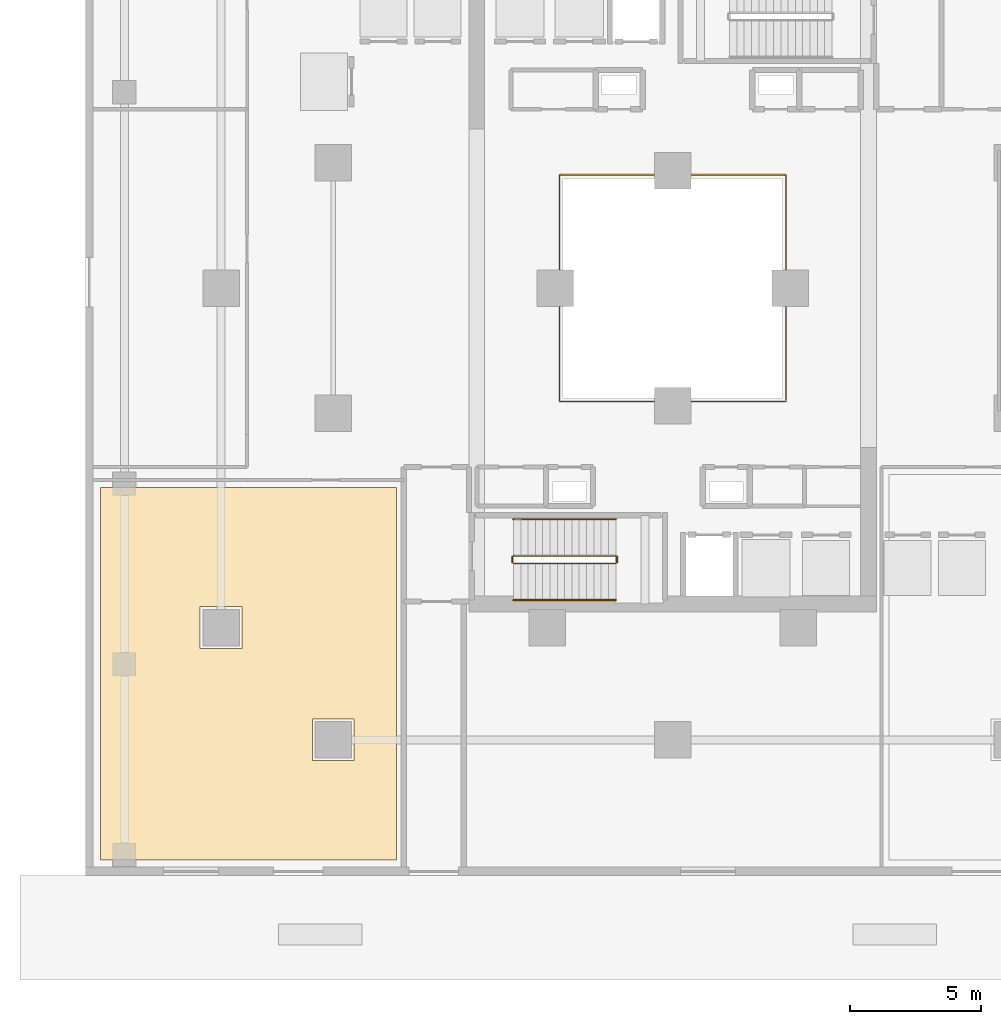
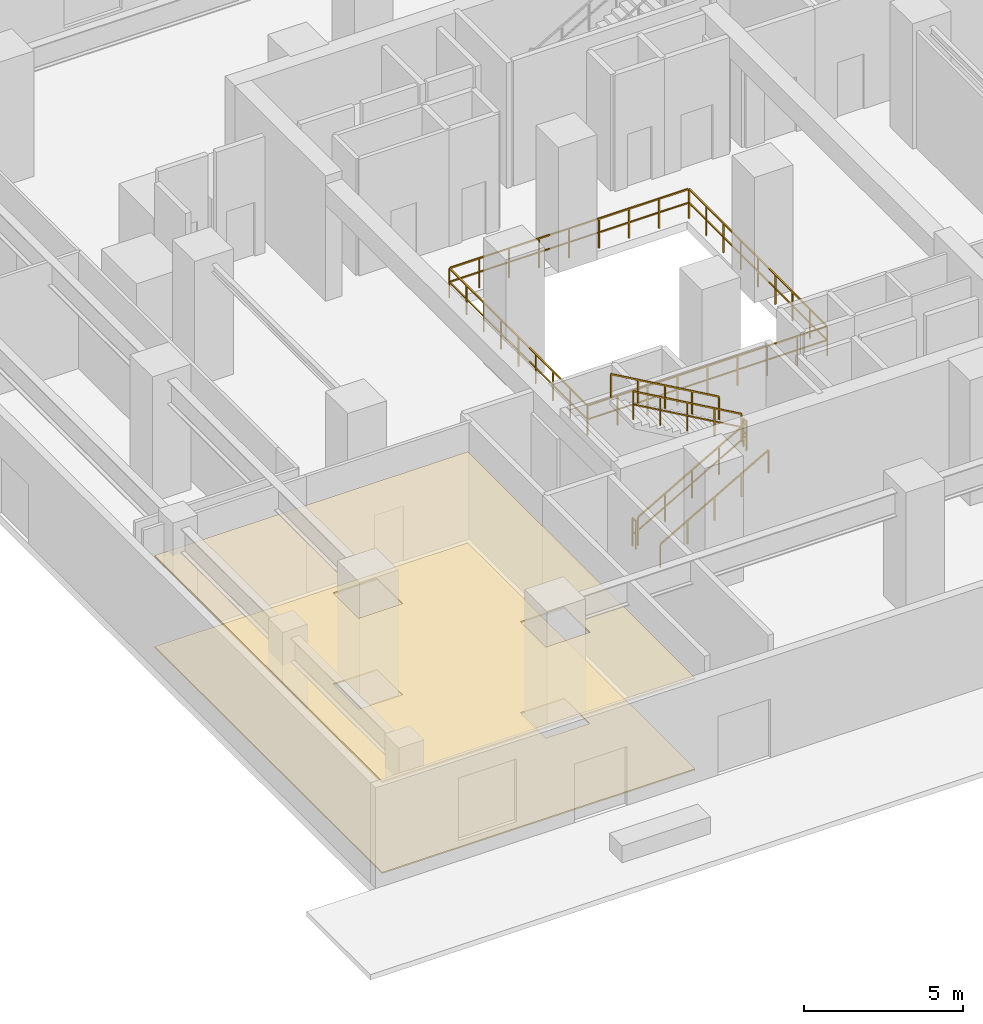
# One storey, part 20 of 24: 7 railings, 2 coverings.
"""IFC4 building model written with IfcOpenShell, lengths in metres."""

from ifc_helpers import new_model, si_unit, direction, frame, origin, origin_2d, place, context, subcontext, project, spatial, polyline, rectangle, outline, extrude, material, layer, layer_set, type_object, element, save


model = new_model("IFC4")

# Units and contexts
model_context = context("Model", 3, precision=1e-05, world=origin(), true_north=direction((0.0, 1.0)))
body_context = subcontext(model_context, "Body", "Model", "MODEL_VIEW")
ifc_project = project(units=[si_unit("LENGTHUNIT", "METRE"), si_unit("AREAUNIT", "SQUARE_METRE"), si_unit("VOLUMEUNIT", "CUBIC_METRE"), si_unit("PLANEANGLEUNIT", "RADIAN"), si_unit("MASSUNIT", "GRAM", prefix="KILO")], contexts=[model_context])

# Site, building, storey
site_placement = place(None, origin())
site = spatial("IfcSite", under=ifc_project, at=site_placement, CompositionType="ELEMENT")
building_placement = place(site_placement, origin())
building = spatial("IfcBuilding", under=site, at=building_placement, Name="Thornwick Lancets Civic Towers", CompositionType="ELEMENT")
storey_placement = place(building_placement, origin())
storey = spatial("IfcBuildingStorey", under=building, at=storey_placement, Name="L00", CompositionType="ELEMENT", Elevation=0.0)

# Coverings
ifc_material_1 = material(Name="Slatted European oak acoustic ceiling")
ifc_layer_1 = layer(ifc_material_1, 0.06005859375, Name="Slatted European oak acoustic ceiling")
ifc_layer_set_1 = layer_set([ifc_layer_1], Name="Slatted European oak acoustic ceiling")
covering_type_1 = type_object("IfcCoveringType", Name="COV_CEIL_TIMBER", PredefinedType="CEILING", material=ifc_layer_set_1)
covering_1_placement = place(storey_placement, frame((0.0, 0.0, 3.478515625)))
element("IfcCovering", 1, at=covering_1_placement, inside=storey, type_object=covering_type_1, Name="Citizen Enquiries and Pass Office Ceiling", PredefinedType="CEILING", context=body_context, shape_type="SweptSolid", body=[
    extrude(outline(polyline([(3.580078125, 5.10009765625), (3.580078125, 19.3701171875), (14.919921875, 19.3701171875), (14.919921875, 5.10009765625), (3.580078125, 5.10009765625)]), holes=[polyline([(11.699951171875, 8.89990234375), (13.300048828125, 8.89990234375), (13.300048828125, 10.5), (11.699951171875, 10.5), (11.699951171875, 8.89990234375)]), polyline([(7.39990234375, 13.199951171875), (9.0, 13.199951171875), (9.0, 14.800048828125), (7.39990234375, 14.800048828125), (7.39990234375, 13.199951171875)])]), origin(), (0.0, 0.0, 1.0), 0.059814453125),
])
ifc_material_2 = material(Name="Calcium-sulfate raised access floor panel")
ifc_layer_2 = layer(ifc_material_2, 0.050048828125, Name="Calcium-sulfate raised access floor panel")
ifc_layer_set_2 = layer_set([ifc_layer_2], Name="Calcium-sulfate raised access floor panel")
covering_type_2 = type_object("IfcCoveringType", Name="COV_FLOOR_RAISED", PredefinedType="FLOORING", material=ifc_layer_set_2)
covering_2_placement = place(storey_placement, origin())
element("IfcCovering", 2, at=covering_2_placement, inside=storey, type_object=covering_type_2, Name="Citizen Enquiries and Pass Office Raised Access Flooring", PredefinedType="FLOORING", context=body_context, shape_type="SweptSolid", body=[
    extrude(outline(polyline([(3.580078125, 5.10009765625), (3.580078125, 19.3701171875), (14.919921875, 19.3701171875), (14.919921875, 5.10009765625), (3.580078125, 5.10009765625)]), holes=[polyline([(11.699951171875, 8.89990234375), (13.300048828125, 8.89990234375), (13.300048828125, 10.5), (11.699951171875, 10.5), (11.699951171875, 8.89990234375)]), polyline([(7.39990234375, 13.199951171875), (9.0, 13.199951171875), (9.0, 14.800048828125), (7.39990234375, 14.800048828125), (7.39990234375, 13.199951171875)])]), origin(), (0.0, 0.0, 1.0), 0.050048828125),
])

# Railings
ifc_material_3 = material(Name="Laminated glass and bronze steel S355", Category="steel")
railing_type_1 = type_object("IfcRailingType", Name="RAIL_ATRIUM_GUARD", PredefinedType="BALUSTRADE", material=ifc_material_3)
railing_1_placement = place(storey_placement, frame((21.159912109375, 22.659912109375, 0.0)))
element("IfcRailing", 3, at=railing_1_placement, inside=storey, type_object=railing_type_1, Name="L00 Tower A Central Atrium Guard Balustrade", PredefinedType="BALUSTRADE", context=body_context, shape_type="SweptSolid", body=[
    extrude(rectangle(XDim=0.048095703125, YDim=0.048095703125, at=origin_2d()), frame((0.0, 0.0, 1.1259765625), z_axis=(1.0, 0.0, 0.0), x_axis=(0.0, 1.0, 0.0)), (0.0, 0.0, 1.0), 8.64892578125),
    extrude(rectangle(XDim=0.0419921875, YDim=0.0419921875, at=origin_2d()), frame((0.03759765625, 0.0, 0.597900390625), z_axis=(1.0, 0.0, 0.0), x_axis=(0.0, 1.0, 0.0)), (0.0, 0.0, 1.0), 1.010009765625),
    extrude(rectangle(XDim=0.0419921875, YDim=0.0419921875, at=origin_2d()), frame((1.12255859375, 0.0, 0.597900390625), z_axis=(1.0, 0.0, 0.0), x_axis=(0.0, 1.0, 0.0)), (0.0, 0.0, 1.0), 1.010009765625),
    extrude(rectangle(XDim=0.0419921875, YDim=0.0419921875, at=origin_2d()), frame((2.20751953125, 0.0, 0.597900390625), z_axis=(1.0, 0.0, 0.0), x_axis=(0.0, 1.0, 0.0)), (0.0, 0.0, 1.0), 1.010009765625),
    extrude(rectangle(XDim=0.0419921875, YDim=0.0419921875, at=origin_2d()), frame((3.29248046875, 0.0, 0.597900390625), z_axis=(1.0, 0.0, 0.0), x_axis=(0.0, 1.0, 0.0)), (0.0, 0.0, 1.0), 1.010009765625),
    extrude(rectangle(XDim=0.0419921875, YDim=0.0419921875, at=origin_2d()), frame((4.377685546875, 0.0, 0.597900390625), z_axis=(1.0, 0.0, 0.0), x_axis=(0.0, 1.0, 0.0)), (0.0, 0.0, 1.0), 1.010009765625),
    extrude(rectangle(XDim=0.0419921875, YDim=0.0419921875, at=origin_2d()), frame((5.462646484375, 0.0, 0.597900390625), z_axis=(1.0, 0.0, 0.0), x_axis=(0.0, 1.0, 0.0)), (0.0, 0.0, 1.0), 1.010009765625),
    extrude(rectangle(XDim=0.0419921875, YDim=0.0419921875, at=origin_2d()), frame((6.547607421875, 0.0, 0.597900390625), z_axis=(1.0, 0.0, 0.0), x_axis=(0.0, 1.0, 0.0)), (0.0, 0.0, 1.0), 1.010009765625),
    extrude(rectangle(XDim=0.0419921875, YDim=0.0419921875, at=origin_2d()), frame((7.632568359375, 0.0, 0.597900390625), z_axis=(1.0, 0.0, 0.0), x_axis=(0.0, 1.0, 0.0)), (0.0, 0.0, 1.0), 1.010009765625),
    extrude(rectangle(XDim=0.048095703125, YDim=0.048095703125, at=origin_2d()), frame((8.68017578125, 0.03125, 1.1259765625), z_axis=(0.0, 1.0, 0.0), x_axis=(-1.0, 0.0, 0.0)), (0.0, 0.0, 1.0), 8.61767578125),
    extrude(rectangle(XDim=0.0419921875, YDim=0.0419921875, at=origin_2d()), frame((8.68017578125, 0.03759765625, 0.597900390625), z_axis=(0.0, 1.0, 0.0), x_axis=(-1.0, 0.0, 0.0)), (0.0, 0.0, 1.0), 1.010009765625),
    extrude(rectangle(XDim=0.0419921875, YDim=0.0419921875, at=origin_2d()), frame((8.68017578125, 1.12255859375, 0.597900390625), z_axis=(0.0, 1.0, 0.0), x_axis=(-1.0, 0.0, 0.0)), (0.0, 0.0, 1.0), 1.010009765625),
    extrude(rectangle(XDim=0.0419921875, YDim=0.0419921875, at=origin_2d()), frame((8.68017578125, 2.20751953125, 0.597900390625), z_axis=(0.0, 1.0, 0.0), x_axis=(-1.0, 0.0, 0.0)), (0.0, 0.0, 1.0), 1.010009765625),
    extrude(rectangle(XDim=0.0419921875, YDim=0.0419921875, at=origin_2d()), frame((8.68017578125, 3.29248046875, 0.597900390625), z_axis=(0.0, 1.0, 0.0), x_axis=(-1.0, 0.0, 0.0)), (0.0, 0.0, 1.0), 1.010009765625),
    extrude(rectangle(XDim=0.0419921875, YDim=0.0419921875, at=origin_2d()), frame((8.68017578125, 4.377685546875, 0.597900390625), z_axis=(0.0, 1.0, 0.0), x_axis=(-1.0, 0.0, 0.0)), (0.0, 0.0, 1.0), 1.010009765625),
    extrude(rectangle(XDim=0.0419921875, YDim=0.0419921875, at=origin_2d()), frame((8.68017578125, 5.462646484375, 0.597900390625), z_axis=(0.0, 1.0, 0.0), x_axis=(-1.0, 0.0, 0.0)), (0.0, 0.0, 1.0), 1.010009765625),
    extrude(rectangle(XDim=0.0419921875, YDim=0.0419921875, at=origin_2d()), frame((8.68017578125, 6.547607421875, 0.597900390625), z_axis=(0.0, 1.0, 0.0), x_axis=(-1.0, 0.0, 0.0)), (0.0, 0.0, 1.0), 1.010009765625),
    extrude(rectangle(XDim=0.0419921875, YDim=0.0419921875, at=origin_2d()), frame((8.68017578125, 7.632568359375, 0.597900390625), z_axis=(0.0, 1.0, 0.0), x_axis=(-1.0, 0.0, 0.0)), (0.0, 0.0, 1.0), 1.010009765625),
    extrude(rectangle(XDim=0.048095703125, YDim=0.048095703125, at=origin_2d()), frame((8.64892578125, 8.68017578125, 1.1259765625), z_axis=(-1.0, 0.0, 0.0), x_axis=(0.0, -1.0, 0.0)), (0.0, 0.0, 1.0), 8.61767578125),
    extrude(rectangle(XDim=0.0419921875, YDim=0.0419921875, at=origin_2d()), frame((8.642578125, 8.68017578125, 0.597900390625), z_axis=(-1.0, 0.0, 0.0), x_axis=(0.0, -1.0, 0.0)), (0.0, 0.0, 1.0), 1.010009765625),
    extrude(rectangle(XDim=0.0419921875, YDim=0.0419921875, at=origin_2d()), frame((7.5576171875, 8.68017578125, 0.597900390625), z_axis=(-1.0, 0.0, 0.0), x_axis=(0.0, -1.0, 0.0)), (0.0, 0.0, 1.0), 1.010009765625),
    extrude(rectangle(XDim=0.0419921875, YDim=0.0419921875, at=origin_2d()), frame((6.47265625, 8.68017578125, 0.597900390625), z_axis=(-1.0, 0.0, 0.0), x_axis=(0.0, -1.0, 0.0)), (0.0, 0.0, 1.0), 1.010009765625),
    extrude(rectangle(XDim=0.0419921875, YDim=0.0419921875, at=origin_2d()), frame((5.3876953125, 8.68017578125, 0.597900390625), z_axis=(-1.0, 0.0, 0.0), x_axis=(0.0, -1.0, 0.0)), (0.0, 0.0, 1.0), 1.010009765625),
    extrude(rectangle(XDim=0.0419921875, YDim=0.0419921875, at=origin_2d()), frame((4.302490234375, 8.68017578125, 0.597900390625), z_axis=(-1.0, 0.0, 0.0), x_axis=(0.0, -1.0, 0.0)), (0.0, 0.0, 1.0), 1.010009765625),
    extrude(rectangle(XDim=0.0419921875, YDim=0.0419921875, at=origin_2d()), frame((3.217529296875, 8.68017578125, 0.597900390625), z_axis=(-1.0, 0.0, 0.0), x_axis=(0.0, -1.0, 0.0)), (0.0, 0.0, 1.0), 1.010009765625),
    extrude(rectangle(XDim=0.0419921875, YDim=0.0419921875, at=origin_2d()), frame((2.132568359375, 8.68017578125, 0.597900390625), z_axis=(-1.0, 0.0, 0.0), x_axis=(0.0, -1.0, 0.0)), (0.0, 0.0, 1.0), 1.010009765625),
    extrude(rectangle(XDim=0.0419921875, YDim=0.0419921875, at=origin_2d()), frame((1.047607421875, 8.68017578125, 0.597900390625), z_axis=(-1.0, 0.0, 0.0), x_axis=(0.0, -1.0, 0.0)), (0.0, 0.0, 1.0), 1.010009765625),
    extrude(rectangle(XDim=0.048095703125, YDim=0.048095703125, at=origin_2d()), frame((0.0, 8.64892578125, 1.1259765625), z_axis=(0.0, -1.0, 0.0), x_axis=(1.0, 0.0, 0.0)), (0.0, 0.0, 1.0), 8.64892578125),
    extrude(rectangle(XDim=0.0419921875, YDim=0.0419921875, at=origin_2d()), frame((0.0, 8.642578125, 0.597900390625), z_axis=(0.0, -1.0, 0.0), x_axis=(1.0, 0.0, 0.0)), (0.0, 0.0, 1.0), 1.010009765625),
    extrude(rectangle(XDim=0.0419921875, YDim=0.0419921875, at=origin_2d()), frame((0.0, 7.5576171875, 0.597900390625), z_axis=(0.0, -1.0, 0.0), x_axis=(1.0, 0.0, 0.0)), (0.0, 0.0, 1.0), 1.010009765625),
    extrude(rectangle(XDim=0.0419921875, YDim=0.0419921875, at=origin_2d()), frame((0.0, 6.47265625, 0.597900390625), z_axis=(0.0, -1.0, 0.0), x_axis=(1.0, 0.0, 0.0)), (0.0, 0.0, 1.0), 1.010009765625),
    extrude(rectangle(XDim=0.0419921875, YDim=0.0419921875, at=origin_2d()), frame((0.0, 5.3876953125, 0.597900390625), z_axis=(0.0, -1.0, 0.0), x_axis=(1.0, 0.0, 0.0)), (0.0, 0.0, 1.0), 1.010009765625),
    extrude(rectangle(XDim=0.0419921875, YDim=0.0419921875, at=origin_2d()), frame((0.0, 4.302490234375, 0.597900390625), z_axis=(0.0, -1.0, 0.0), x_axis=(1.0, 0.0, 0.0)), (0.0, 0.0, 1.0), 1.010009765625),
    extrude(rectangle(XDim=0.0419921875, YDim=0.0419921875, at=origin_2d()), frame((0.0, 3.217529296875, 0.597900390625), z_axis=(0.0, -1.0, 0.0), x_axis=(1.0, 0.0, 0.0)), (0.0, 0.0, 1.0), 1.010009765625),
    extrude(rectangle(XDim=0.0419921875, YDim=0.0419921875, at=origin_2d()), frame((0.0, 2.132568359375, 0.597900390625), z_axis=(0.0, -1.0, 0.0), x_axis=(1.0, 0.0, 0.0)), (0.0, 0.0, 1.0), 1.010009765625),
    extrude(rectangle(XDim=0.0419921875, YDim=0.0419921875, at=origin_2d()), frame((0.0, 1.047607421875, 0.597900390625), z_axis=(0.0, -1.0, 0.0), x_axis=(1.0, 0.0, 0.0)), (0.0, 0.0, 1.0), 1.010009765625),
    extrude(rectangle(XDim=0.0419921875, YDim=0.0419921875, at=origin_2d()), origin(), (0.0, 0.0, 1.0), 1.095703125),
    extrude(rectangle(XDim=0.0419921875, YDim=0.0419921875, at=origin_2d()), frame((1.0849609375, 0.0, 0.0)), (0.0, 0.0, 1.0), 1.095703125),
    extrude(rectangle(XDim=0.0419921875, YDim=0.0419921875, at=origin_2d()), frame((2.169921875, 0.0, 0.0)), (0.0, 0.0, 1.0), 1.095703125),
    extrude(rectangle(XDim=0.0419921875, YDim=0.0419921875, at=origin_2d()), frame((3.255126953125, 0.0, 0.0)), (0.0, 0.0, 1.0), 1.095703125),
    extrude(rectangle(XDim=0.0419921875, YDim=0.0419921875, at=origin_2d()), frame((4.340087890625, 0.0, 0.0)), (0.0, 0.0, 1.0), 1.095703125),
    extrude(rectangle(XDim=0.0419921875, YDim=0.0419921875, at=origin_2d()), frame((5.425048828125, 0.0, 0.0)), (0.0, 0.0, 1.0), 1.095703125),
    extrude(rectangle(XDim=0.0419921875, YDim=0.0419921875, at=origin_2d()), frame((6.51025390625, 0.0, 0.0)), (0.0, 0.0, 1.0), 1.095703125),
    extrude(rectangle(XDim=0.0419921875, YDim=0.0419921875, at=origin_2d()), frame((7.59521484375, 0.0, 0.0)), (0.0, 0.0, 1.0), 1.095703125),
    extrude(rectangle(XDim=0.0419921875, YDim=0.0419921875, at=origin_2d()), frame((8.68017578125, 0.0, 0.0)), (0.0, 0.0, 1.0), 1.095703125),
    extrude(rectangle(XDim=0.0419921875, YDim=0.0419921875, at=origin_2d()), frame((8.68017578125, 1.0849609375, 0.0)), (0.0, 0.0, 1.0), 1.095703125),
    extrude(rectangle(XDim=0.0419921875, YDim=0.0419921875, at=origin_2d()), frame((8.68017578125, 2.169921875, 0.0)), (0.0, 0.0, 1.0), 1.095703125),
    extrude(rectangle(XDim=0.0419921875, YDim=0.0419921875, at=origin_2d()), frame((8.68017578125, 3.255126953125, 0.0)), (0.0, 0.0, 1.0), 1.095703125),
    extrude(rectangle(XDim=0.0419921875, YDim=0.0419921875, at=origin_2d()), frame((8.68017578125, 4.340087890625, 0.0)), (0.0, 0.0, 1.0), 1.095703125),
    extrude(rectangle(XDim=0.0419921875, YDim=0.0419921875, at=origin_2d()), frame((8.68017578125, 5.425048828125, 0.0)), (0.0, 0.0, 1.0), 1.095703125),
    extrude(rectangle(XDim=0.0419921875, YDim=0.0419921875, at=origin_2d()), frame((8.68017578125, 6.51025390625, 0.0)), (0.0, 0.0, 1.0), 1.095703125),
    extrude(rectangle(XDim=0.0419921875, YDim=0.0419921875, at=origin_2d()), frame((8.68017578125, 7.59521484375, 0.0)), (0.0, 0.0, 1.0), 1.095703125),
    extrude(rectangle(XDim=0.0419921875, YDim=0.0419921875, at=origin_2d()), frame((8.68017578125, 8.68017578125, 0.0)), (0.0, 0.0, 1.0), 1.095703125),
    extrude(rectangle(XDim=0.0419921875, YDim=0.0419921875, at=origin_2d()), frame((7.59521484375, 8.68017578125, 0.0)), (0.0, 0.0, 1.0), 1.095703125),
    extrude(rectangle(XDim=0.0419921875, YDim=0.0419921875, at=origin_2d()), frame((6.51025390625, 8.68017578125, 0.0)), (0.0, 0.0, 1.0), 1.095703125),
    extrude(rectangle(XDim=0.0419921875, YDim=0.0419921875, at=origin_2d()), frame((5.425048828125, 8.68017578125, 0.0)), (0.0, 0.0, 1.0), 1.095703125),
    extrude(rectangle(XDim=0.0419921875, YDim=0.0419921875, at=origin_2d()), frame((4.340087890625, 8.68017578125, 0.0)), (0.0, 0.0, 1.0), 1.095703125),
    extrude(rectangle(XDim=0.0419921875, YDim=0.0419921875, at=origin_2d()), frame((3.255126953125, 8.68017578125, 0.0)), (0.0, 0.0, 1.0), 1.095703125),
    extrude(rectangle(XDim=0.0419921875, YDim=0.0419921875, at=origin_2d()), frame((2.169921875, 8.68017578125, 0.0)), (0.0, 0.0, 1.0), 1.095703125),
    extrude(rectangle(XDim=0.0419921875, YDim=0.0419921875, at=origin_2d()), frame((1.0849609375, 8.68017578125, 0.0)), (0.0, 0.0, 1.0), 1.095703125),
    extrude(rectangle(XDim=0.0419921875, YDim=0.0419921875, at=origin_2d()), frame((0.0, 8.68017578125, 0.0)), (0.0, 0.0, 1.0), 1.095703125),
    extrude(rectangle(XDim=0.0419921875, YDim=0.0419921875, at=origin_2d()), frame((0.0, 7.59521484375, 0.0)), (0.0, 0.0, 1.0), 1.095703125),
    extrude(rectangle(XDim=0.0419921875, YDim=0.0419921875, at=origin_2d()), frame((0.0, 6.51025390625, 0.0)), (0.0, 0.0, 1.0), 1.095703125),
    extrude(rectangle(XDim=0.0419921875, YDim=0.0419921875, at=origin_2d()), frame((0.0, 5.425048828125, 0.0)), (0.0, 0.0, 1.0), 1.095703125),
    extrude(rectangle(XDim=0.0419921875, YDim=0.0419921875, at=origin_2d()), frame((0.0, 4.340087890625, 0.0)), (0.0, 0.0, 1.0), 1.095703125),
    extrude(rectangle(XDim=0.0419921875, YDim=0.0419921875, at=origin_2d()), frame((0.0, 3.255126953125, 0.0)), (0.0, 0.0, 1.0), 1.095703125),
    extrude(rectangle(XDim=0.0419921875, YDim=0.0419921875, at=origin_2d()), frame((0.0, 2.169921875, 0.0)), (0.0, 0.0, 1.0), 1.095703125),
    extrude(rectangle(XDim=0.0419921875, YDim=0.0419921875, at=origin_2d()), frame((0.0, 1.0849609375, 0.0)), (0.0, 0.0, 1.0), 1.095703125),
])
ifc_material_4 = material(Name="Brushed stainless steel S355", Category="steel")
railing_type_2 = type_object("IfcRailingType", Name="RAIL_HANDRAIL", PredefinedType="HANDRAIL", material=ifc_material_4)
railing_2_placement = place(storey_placement, frame((19.39990234375, 15.050048828125, 0.159912109375)))
element("IfcRailing", 4, at=railing_2_placement, inside=storey, type_object=railing_type_2, Name="L00 ST-A1 stair handrail 1", PredefinedType="HANDRAIL", context=body_context, shape_type="SweptSolid", body=[
    extrude(rectangle(XDim=0.048095703125, YDim=0.048095703125, at=origin_2d()), frame((0.0, 0.0, 0.8857421875), z_axis=(0.86825312469, 0.0, 0.496121468458), x_axis=(0.0, 1.0, 0.0)), (0.0, 0.0, 1.0), 4.514892578125),
    extrude(rectangle(XDim=0.0419921875, YDim=0.0419921875, at=origin_2d()), origin(), (0.0, 0.0, 1.0), 0.855712890625),
    extrude(rectangle(XDim=0.0419921875, YDim=0.0419921875, at=origin_2d()), frame((0.97998046875, 0.0, 0.56005859375)), (0.0, 0.0, 1.0), 0.855712890625),
    extrude(rectangle(XDim=0.0419921875, YDim=0.0419921875, at=origin_2d()), frame((1.9599609375, 0.0, 1.1201171875)), (0.0, 0.0, 1.0), 0.855712890625),
    extrude(rectangle(XDim=0.0419921875, YDim=0.0419921875, at=origin_2d()), frame((2.940185546875, 0.0, 1.679931640625)), (0.0, 0.0, 1.0), 0.855712890625),
    extrude(rectangle(XDim=0.0419921875, YDim=0.0419921875, at=origin_2d()), frame((3.920166015625, 0.0, 2.239990234375)), (0.0, 0.0, 1.0), 0.855712890625),
])
railing_3_placement = place(storey_placement, frame((23.320068359375, 18.14990234375, 2.56005859375)))
element("IfcRailing", 5, at=railing_3_placement, inside=storey, type_object=railing_type_2, Name="L00 ST-A1 stair handrail 2", PredefinedType="HANDRAIL", context=body_context, shape_type="SweptSolid", body=[
    extrude(rectangle(XDim=0.048095703125, YDim=0.048095703125, at=origin_2d()), frame((0.0, 0.0, 0.8857421875), z_axis=(-0.86825312469, 0.0, 0.496121468458), x_axis=(0.0, -1.0, 0.0)), (0.0, 0.0, 1.0), 4.514892578125),
    extrude(rectangle(XDim=0.0419921875, YDim=0.0419921875, at=origin_2d()), origin(), (0.0, 0.0, 1.0), 0.855712890625),
    extrude(rectangle(XDim=0.0419921875, YDim=0.0419921875, at=origin_2d()), frame((-0.97998046875, 0.0, 0.56005859375)), (0.0, 0.0, 1.0), 0.855712890625),
    extrude(rectangle(XDim=0.0419921875, YDim=0.0419921875, at=origin_2d()), frame((-1.9599609375, 0.0, 1.1201171875)), (0.0, 0.0, 1.0), 0.855712890625),
    extrude(rectangle(XDim=0.0419921875, YDim=0.0419921875, at=origin_2d()), frame((-2.940185546875, 0.0, 1.679931640625)), (0.0, 0.0, 1.0), 0.855712890625),
    extrude(rectangle(XDim=0.0419921875, YDim=0.0419921875, at=origin_2d()), frame((-3.920166015625, 0.0, 2.239990234375)), (0.0, 0.0, 1.0), 0.855712890625),
])
ifc_material_5 = material(Name="Steel S355JR", Category="steel")
railing_type_3 = type_object("IfcRailingType", Name="RAIL_STAIR_GUARD", PredefinedType="GUARDRAIL", material=ifc_material_5)
railing_4_placement = place(storey_placement, frame((19.39990234375, 16.449951171875, 0.159912109375)))
element("IfcRailing", 6, at=railing_4_placement, inside=storey, type_object=railing_type_3, Name="L00 ST-A1 stair guard 1", PredefinedType="GUARDRAIL", context=body_context, shape_type="SweptSolid", body=[
    extrude(rectangle(XDim=0.048095703125, YDim=0.048095703125, at=origin_2d()), frame((0.0, 0.0, 1.076171875), z_axis=(0.86825312469, 0.0, 0.496121468458), x_axis=(0.0, 1.0, 0.0)), (0.0, 0.0, 1.0), 4.514892578125),
    extrude(rectangle(XDim=0.0419921875, YDim=0.0419921875, at=origin_2d()), frame((0.032470703125, 0.0, 0.590576171875), z_axis=(0.86825312469, 0.0, 0.496121468458), x_axis=(0.0, 1.0, 0.0)), (0.0, 0.0, 1.0), 1.0537109375),
    extrude(rectangle(XDim=0.0419921875, YDim=0.0419921875, at=origin_2d()), frame((1.0126953125, 0.0, 1.150634765625), z_axis=(0.86825312469, 0.0, 0.496121468458), x_axis=(0.0, 1.0, 0.0)), (0.0, 0.0, 1.0), 1.0537109375),
    extrude(rectangle(XDim=0.0419921875, YDim=0.0419921875, at=origin_2d()), frame((1.99267578125, 0.0, 1.710693359375), z_axis=(0.86825312469, 0.0, 0.496121468458), x_axis=(0.0, 1.0, 0.0)), (0.0, 0.0, 1.0), 1.0537109375),
    extrude(rectangle(XDim=0.0419921875, YDim=0.0419921875, at=origin_2d()), frame((2.97265625, 0.0, 2.270751953125), z_axis=(0.86825312469, 0.0, 0.496121468458), x_axis=(0.0, 1.0, 0.0)), (0.0, 0.0, 1.0), 1.0537109375),
    extrude(rectangle(XDim=0.0419921875, YDim=0.0419921875, at=origin_2d()), origin(), (0.0, 0.0, 1.0), 1.0458984375),
    extrude(rectangle(XDim=0.0419921875, YDim=0.0419921875, at=origin_2d()), frame((0.97998046875, 0.0, 0.56005859375)), (0.0, 0.0, 1.0), 1.0458984375),
    extrude(rectangle(XDim=0.0419921875, YDim=0.0419921875, at=origin_2d()), frame((1.9599609375, 0.0, 1.1201171875)), (0.0, 0.0, 1.0), 1.0458984375),
    extrude(rectangle(XDim=0.0419921875, YDim=0.0419921875, at=origin_2d()), frame((2.940185546875, 0.0, 1.679931640625)), (0.0, 0.0, 1.0), 1.0458984375),
    extrude(rectangle(XDim=0.0419921875, YDim=0.0419921875, at=origin_2d()), frame((3.920166015625, 0.0, 2.239990234375)), (0.0, 0.0, 1.0), 1.0458984375),
])
railing_5_placement = place(storey_placement, frame((23.3701171875, 16.5, 2.39990234375)))
element("IfcRailing", 7, at=railing_5_placement, inside=storey, type_object=railing_type_3, Name="L00 ST-A1 stair guard 2", PredefinedType="GUARDRAIL", context=body_context, shape_type="SweptSolid", body=[
    extrude(rectangle(XDim=0.048095703125, YDim=0.048095703125, at=origin_2d()), frame((0.0, 0.0, 1.076171875), z_axis=(0.0, 1.0, 0.0), x_axis=(-1.0, 0.0, 0.0)), (0.0, 0.0, 1.0), 0.199951171875),
    extrude(rectangle(XDim=0.0419921875, YDim=0.0419921875, at=origin_2d()), frame((0.0, 0.03759765625, 0.572021484375), z_axis=(0.0, 1.0, 0.0), x_axis=(-1.0, 0.0, 0.0)), (0.0, 0.0, 1.0), 0.125),
    extrude(rectangle(XDim=0.0419921875, YDim=0.0419921875, at=origin_2d()), origin(), (0.0, 0.0, 1.0), 1.0458984375),
    extrude(rectangle(XDim=0.0419921875, YDim=0.0419921875, at=origin_2d()), frame((0.0, 0.199951171875, 0.0)), (0.0, 0.0, 1.0), 1.0458984375),
])
railing_6_placement = place(storey_placement, frame((23.320068359375, 16.75, 2.56005859375)))
element("IfcRailing", 8, at=railing_6_placement, inside=storey, type_object=railing_type_3, Name="L00 ST-A1 stair guard 3", PredefinedType="GUARDRAIL", context=body_context, shape_type="SweptSolid", body=[
    extrude(rectangle(XDim=0.048095703125, YDim=0.048095703125, at=origin_2d()), frame((0.0, 0.0, 1.076171875), z_axis=(-0.86825312469, 0.0, 0.496121468458), x_axis=(0.0, -1.0, 0.0)), (0.0, 0.0, 1.0), 4.514892578125),
    extrude(rectangle(XDim=0.0419921875, YDim=0.0419921875, at=origin_2d()), frame((-0.032470703125, 0.0, 0.590576171875), z_axis=(-0.86825312469, 0.0, 0.496121468458), x_axis=(0.0, -1.0, 0.0)), (0.0, 0.0, 1.0), 1.0537109375),
    extrude(rectangle(XDim=0.0419921875, YDim=0.0419921875, at=origin_2d()), frame((-1.0126953125, 0.0, 1.150634765625), z_axis=(-0.86825312469, 0.0, 0.496121468458), x_axis=(0.0, -1.0, 0.0)), (0.0, 0.0, 1.0), 1.0537109375),
    extrude(rectangle(XDim=0.0419921875, YDim=0.0419921875, at=origin_2d()), frame((-1.99267578125, 0.0, 1.710693359375), z_axis=(-0.86825312469, 0.0, 0.496121468458), x_axis=(0.0, -1.0, 0.0)), (0.0, 0.0, 1.0), 1.0537109375),
    extrude(rectangle(XDim=0.0419921875, YDim=0.0419921875, at=origin_2d()), frame((-2.97265625, 0.0, 2.270751953125), z_axis=(-0.86825312469, 0.0, 0.496121468458), x_axis=(0.0, -1.0, 0.0)), (0.0, 0.0, 1.0), 1.0537109375),
    extrude(rectangle(XDim=0.0419921875, YDim=0.0419921875, at=origin_2d()), origin(), (0.0, 0.0, 1.0), 1.0458984375),
    extrude(rectangle(XDim=0.0419921875, YDim=0.0419921875, at=origin_2d()), frame((-0.97998046875, 0.0, 0.56005859375)), (0.0, 0.0, 1.0), 1.0458984375),
    extrude(rectangle(XDim=0.0419921875, YDim=0.0419921875, at=origin_2d()), frame((-1.9599609375, 0.0, 1.1201171875)), (0.0, 0.0, 1.0), 1.0458984375),
    extrude(rectangle(XDim=0.0419921875, YDim=0.0419921875, at=origin_2d()), frame((-2.940185546875, 0.0, 1.679931640625)), (0.0, 0.0, 1.0), 1.0458984375),
    extrude(rectangle(XDim=0.0419921875, YDim=0.0419921875, at=origin_2d()), frame((-3.920166015625, 0.0, 2.239990234375)), (0.0, 0.0, 1.0), 1.0458984375),
])
railing_7_placement = place(storey_placement, frame((19.35009765625, 16.5, 0.0)))
element("IfcRailing", 9, at=railing_7_placement, inside=storey, type_object=railing_type_3, Name="L00 ST-A1 stair guard 4", PredefinedType="GUARDRAIL", context=body_context, shape_type="SweptSolid", body=[
    extrude(rectangle(XDim=0.048095703125, YDim=0.048095703125, at=origin_2d()), frame((0.0, 0.0, 1.076171875), z_axis=(0.0, 1.0, 0.0), x_axis=(-1.0, 0.0, 0.0)), (0.0, 0.0, 1.0), 0.199951171875),
    extrude(rectangle(XDim=0.0419921875, YDim=0.0419921875, at=origin_2d()), frame((0.0, 0.03759765625, 0.572021484375), z_axis=(0.0, 1.0, 0.0), x_axis=(-1.0, 0.0, 0.0)), (0.0, 0.0, 1.0), 0.125),
    extrude(rectangle(XDim=0.0419921875, YDim=0.0419921875, at=origin_2d()), origin(), (0.0, 0.0, 1.0), 1.0458984375),
    extrude(rectangle(XDim=0.0419921875, YDim=0.0419921875, at=origin_2d()), frame((0.0, 0.199951171875, 0.0)), (0.0, 0.0, 1.0), 1.0458984375),
])

save(model, "model.ifc")
